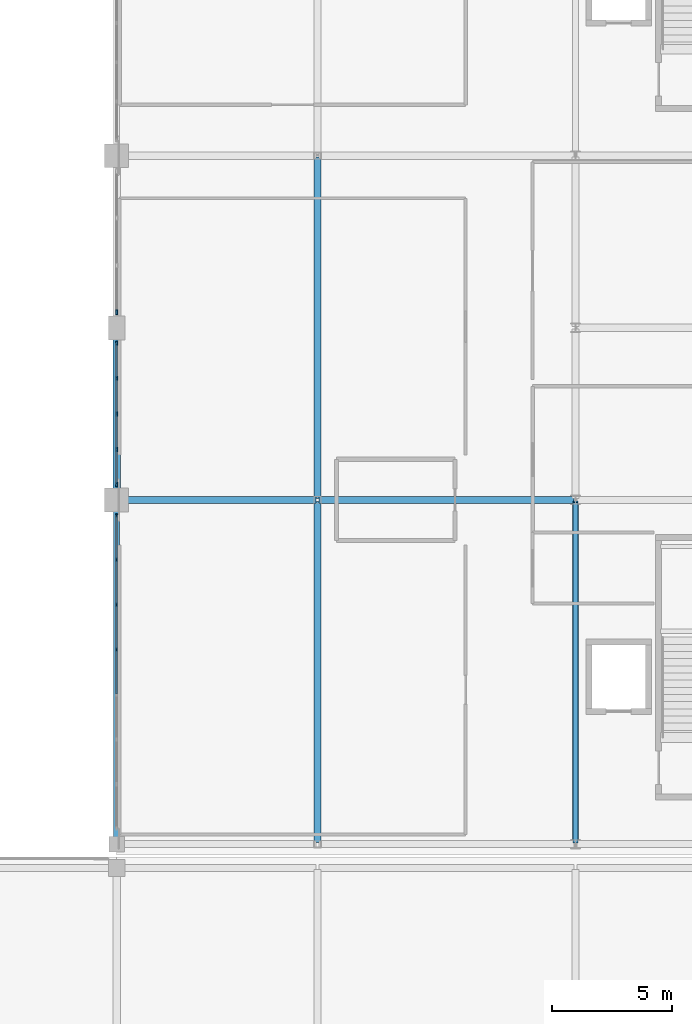
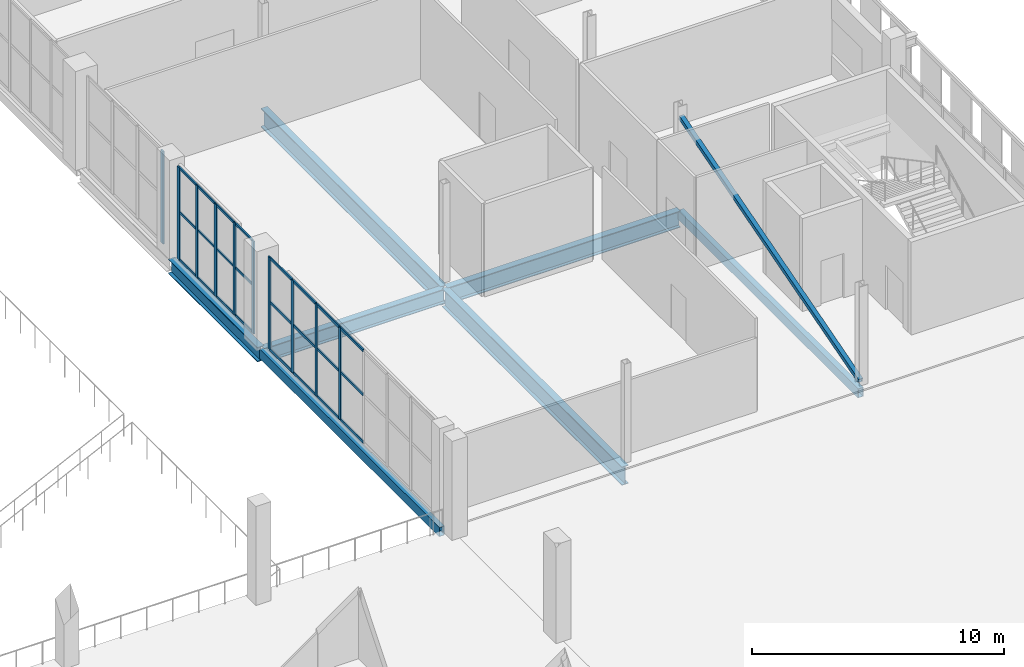
# One storey, part 35 of 104: 35 members, 7 beams, 3 elements without a shape of their own.
"""IFC4 building model written with IfcOpenShell, lengths in metres."""

from ifc_helpers import new_model, si_unit, direction, frame, origin, origin_2d, place, context, subcontext, project, spatial, rectangle, hollow_rectangle, i_section, extrude, material, material_profile, profile_set, type_object, element, aggregate, save


model = new_model("IFC4")

# Units and contexts
model_context = context("Model", 3, precision=1e-05, world=origin(), true_north=direction((0.0, 1.0)))
body_context = subcontext(model_context, "Body", "Model", "MODEL_VIEW")
ifc_project = project(units=[si_unit("LENGTHUNIT", "METRE"), si_unit("AREAUNIT", "SQUARE_METRE"), si_unit("VOLUMEUNIT", "CUBIC_METRE"), si_unit("PLANEANGLEUNIT", "RADIAN"), si_unit("MASSUNIT", "GRAM", prefix="KILO")], contexts=[model_context])

# Site, building, storey
site_placement = place(None, origin())
site = spatial("IfcSite", under=ifc_project, at=site_placement, CompositionType="ELEMENT")
building_placement = place(site_placement, origin())
building = spatial("IfcBuilding", under=site, at=building_placement, Name="Koshinbarg Plaza Stadium", CompositionType="ELEMENT")
storey_placement = place(building_placement, frame((0.0, 0.0, 19.800048828125)))
storey = spatial("IfcBuildingStorey", under=building, at=storey_placement, Name="L04", CompositionType="ELEMENT", Elevation=19.800048828125)

# Beams
ifc_material_1 = material(Name="Steel S355", Category="steel")
ifc_material_profile_1 = material_profile(ifc_material_1, i_section(OverallWidth=0.300048828125, OverallDepth=0.699951171875, WebThickness=0.01708984375, FlangeThickness=0.031982421875, at=origin_2d()), Name="HEB 700")
ifc_profile_set_1 = profile_set([ifc_material_profile_1], Name="Steel S355")
beam_type_1 = type_object("IfcBeamType", Name="BM-SGIR-03", PredefinedType="USERDEFINED", material=ifc_profile_set_1)
beam_1_placement = place(storey_placement, frame((189.4599609375, 39.89990234375, -0.650146484375), z_axis=(1.0, 0.0, 0.0), x_axis=(0.0, 1.0, 0.0)))
element("IfcBeam", 1, at=beam_1_placement, inside=storey, type_object=beam_type_1, Name="L04 X girder F/18-19", ObjectType="GIRDER", PredefinedType="USERDEFINED", context=body_context, shape_type="SweptSolid", body=[
    extrude(i_section(OverallWidth=0.300048828125, OverallDepth=0.699951171875, WebThickness=0.01708984375, FlangeThickness=0.031982421875, at=origin_2d()), origin(), (0.0, 0.0, 1.0), 8.280029296875),
])
beam_2_placement = place(storey_placement, frame((189.39990234375, 39.9599609375, -0.650146484375), z_axis=(0.0, 1.0, 0.0), x_axis=(-1.0, 0.0, 0.0)))
element("IfcBeam", 2, at=beam_2_placement, inside=storey, type_object=beam_type_1, Name="L04 Y girder 18/F-G", ObjectType="GIRDER", PredefinedType="USERDEFINED", context=body_context, shape_type="SweptSolid", body=[
    extrude(i_section(OverallWidth=0.300048828125, OverallDepth=0.699951171875, WebThickness=0.01708984375, FlangeThickness=0.031982421875, at=origin_2d()), origin(), (0.0, 0.0, 1.0), 7.080078125),
])
ifc_material_profile_2 = material_profile(ifc_material_1, i_section(OverallWidth=0.300048828125, OverallDepth=0.800048828125, WebThickness=0.017578125, FlangeThickness=0.032958984375, at=origin_2d()), Name="HEB 800")
ifc_profile_set_2 = profile_set([ifc_material_profile_2], Name="Steel S355")
beam_type_2 = type_object("IfcBeamType", Name="BM-SGIR-04", PredefinedType="USERDEFINED", material=ifc_profile_set_2)
beam_3_placement = place(storey_placement, frame((197.860107421875, 39.89990234375, -0.699951171875), z_axis=(1.0, 0.0, 0.0), x_axis=(0.0, 1.0, 0.0)))
element("IfcBeam", 3, at=beam_3_placement, inside=storey, type_object=beam_type_2, Name="L04 X girder F/19-20", ObjectType="GIRDER", PredefinedType="USERDEFINED", context=body_context, shape_type="SweptSolid", body=[
    extrude(i_section(OverallWidth=0.300048828125, OverallDepth=0.800048828125, WebThickness=0.017578125, FlangeThickness=0.032958984375, at=origin_2d()), origin(), (0.0, 0.0, 1.0), 10.679931640625),
])
ifc_material_profile_3 = material_profile(ifc_material_1, i_section(OverallWidth=0.300048828125, OverallDepth=0.89990234375, WebThickness=0.0185546875, FlangeThickness=0.034912109375, at=origin_2d()), Name="HEB 900")
ifc_profile_set_3 = profile_set([ifc_material_profile_3], Name="Steel S355")
beam_type_3 = type_object("IfcBeamType", Name="BM-SGIR-05", PredefinedType="USERDEFINED", material=ifc_profile_set_3)
for number, where, z_axis, x_axis, name in (
    (4, (197.800048828125, 25.56005859375, -0.75), (0.0, 1.0, 0.0), (-1.0, 0.0, 0.0), "L04 Y girder 19/E-F"),
    (5, (197.800048828125, 39.9599609375, -0.75), (0.0, 1.0, 0.0), (-1.0, 0.0, 0.0), "L04 Y girder 19/F-H"),
):
    element("IfcBeam", number, at=place(storey_placement, frame(where, z_axis=z_axis, x_axis=x_axis)), inside=storey, type_object=beam_type_3, Name=name, ObjectType="GIRDER", PredefinedType="USERDEFINED", context=body_context, shape_type="SweptSolid", body=[
        extrude(i_section(OverallWidth=0.300048828125, OverallDepth=0.89990234375, WebThickness=0.0185546875, FlangeThickness=0.034912109375, at=origin_2d()), origin(), (0.0, 0.0, 1.0), 14.280029296875),
    ])
ifc_material_profile_4 = material_profile(ifc_material_1, hollow_rectangle(XDim=0.25, YDim=0.449951171875, WallThickness=0.01611328125, at=origin_2d()), Name="RHS 450x250x16")
ifc_profile_set_4 = profile_set([ifc_material_profile_4], Name="Steel S355")
beam_type_4 = type_object("IfcBeamType", Name="BM-SGIR-06", PredefinedType="USERDEFINED", material=ifc_profile_set_4)
for number, where, z_axis, x_axis, name in (
    (6, (189.39990234375, 25.56005859375, -0.525146484375), (0.0, 1.0, 0.0), (-1.0, 0.0, 0.0), "L04 Y girder 18/E-F"),
    (7, (208.60009765625, 25.56005859375, -0.525146484375), (0.0, 1.0, 0.0), (-1.0, 0.0, 0.0), "L04 Y girder 20/E-F"),
):
    element("IfcBeam", number, at=place(storey_placement, frame(where, z_axis=z_axis, x_axis=x_axis)), inside=storey, type_object=beam_type_4, Name=name, ObjectType="GIRDER", PredefinedType="USERDEFINED", context=body_context, shape_type="SweptSolid", body=[
        extrude(hollow_rectangle(XDim=0.25, YDim=0.449951171875, WallThickness=0.01611328125, at=origin_2d()), origin(), (0.0, 0.0, 1.0), 14.280029296875),
    ])

# Curtain wall, members
ifc_material_2 = material(Name="Thermally broken anodised aluminium and low-E double glazing", Category="aluminium")
curtain_wall_type_1 = type_object("IfcCurtainWallType", Name="CW-SYS-10", PredefinedType="NOTDEFINED", material=ifc_material_2)
curtain_wall_1_placement = place(storey_placement, origin())
curtain_wall_1 = element("IfcCurtainWall", 8, at=curtain_wall_1_placement, inside=storey, type_object=curtain_wall_type_1, Name="L04 unitised curtain wall CW-L04-121", PredefinedType="NOTDEFINED")
ifc_material_3 = material(Name="Anodised aluminium mullion", Category="aluminium")
ifc_material_profile_5 = material_profile(ifc_material_3, rectangle(XDim=0.06005859375, YDim=0.159912109375, at=origin_2d()), Name="ALU 60x160")
ifc_profile_set_5 = profile_set([ifc_material_profile_5], Name="Anodised aluminium mullion")
member_type_1 = type_object("IfcMemberType", Name="CW-MUL-02", PredefinedType="MULLION", material=ifc_profile_set_5)
member_1_placement = place(storey_placement, frame((189.39990234375, 33.639892578125, 0.0), z_axis=(0.0, 0.0, 1.0), x_axis=(-1.0, 0.0, 0.0)))
member_1 = element("IfcMember", 9, at=member_1_placement, type_object=member_type_1, Name="CW10 mullion 5", PredefinedType="MULLION", context=body_context, shape_type="SweptSolid", body=[
    extrude(rectangle(XDim=0.06005859375, YDim=0.159912109375, at=origin_2d()), origin(), (0.0, 0.0, 1.0), 4.47998046875),
])
member_2_placement = place(storey_placement, frame((189.39990234375, 35.52001953125, 0.0), z_axis=(0.0, 0.0, 1.0), x_axis=(-1.0, 0.0, 0.0)))
member_2 = element("IfcMember", 10, at=member_2_placement, type_object=member_type_1, Name="CW10 mullion 6", PredefinedType="MULLION", context=body_context, shape_type="SweptSolid", body=[
    extrude(rectangle(XDim=0.06005859375, YDim=0.159912109375, at=origin_2d()), origin(), (0.0, 0.0, 1.0), 4.47998046875),
])
member_3_placement = place(storey_placement, frame((189.39990234375, 37.39990234375, 0.0), z_axis=(0.0, 0.0, 1.0), x_axis=(-1.0, 0.0, 0.0)))
member_3 = element("IfcMember", 11, at=member_3_placement, type_object=member_type_1, Name="CW10 mullion 7", PredefinedType="MULLION", context=body_context, shape_type="SweptSolid", body=[
    extrude(rectangle(XDim=0.06005859375, YDim=0.159912109375, at=origin_2d()), origin(), (0.0, 0.0, 1.0), 4.47998046875),
])
member_4_placement = place(storey_placement, frame((189.39990234375, 39.25, 0.0), z_axis=(0.0, 0.0, 1.0), x_axis=(-1.0, 0.0, 0.0)))
member_4 = element("IfcMember", 12, at=member_4_placement, type_object=member_type_1, Name="CW10 mullion 8", PredefinedType="MULLION", context=body_context, shape_type="SweptSolid", body=[
    extrude(rectangle(XDim=0.06005859375, YDim=0.159912109375, at=origin_2d()), origin(), (0.0, 0.0, 1.0), 4.47998046875),
])

curtain_wall_type_2 = type_object("IfcCurtainWallType", Name="CW-SYS-11", PredefinedType="NOTDEFINED", material=ifc_material_2)
curtain_wall_2_placement = place(storey_placement, origin())
curtain_wall_2 = element("IfcCurtainWall", 13, at=curtain_wall_2_placement, inside=storey, type_object=curtain_wall_type_2, Name="L04 unitised curtain wall CW-L04-122", PredefinedType="NOTDEFINED")
ifc_material_profile_6 = material_profile(ifc_material_3, rectangle(XDim=0.070068359375, YDim=0.179931640625, at=origin_2d()), Name="ALU 70x180")
ifc_profile_set_6 = profile_set([ifc_material_profile_6], Name="Anodised aluminium mullion")
member_type_2 = type_object("IfcMemberType", Name="CW-MUL-03", PredefinedType="MULLION", material=ifc_profile_set_6)
member_5_placement = place(storey_placement, frame((189.39990234375, 40.550048828125, 0.0), z_axis=(0.0, 0.0, 1.0), x_axis=(-1.0, 0.0, 0.0)))
member_5 = element("IfcMember", 14, at=member_5_placement, type_object=member_type_2, Name="CW11 mullion 1", PredefinedType="MULLION", context=body_context, shape_type="SweptSolid", body=[
    extrude(rectangle(XDim=0.070068359375, YDim=0.179931640625, at=origin_2d()), origin(), (0.0, 0.0, 1.0), 4.47998046875),
])
member_6_placement = place(storey_placement, frame((189.39990234375, 42.010009765625, 0.0), z_axis=(0.0, 0.0, 1.0), x_axis=(-1.0, 0.0, 0.0)))
member_6 = element("IfcMember", 15, at=member_6_placement, type_object=member_type_2, Name="CW11 mullion 2", PredefinedType="MULLION", context=body_context, shape_type="SweptSolid", body=[
    extrude(rectangle(XDim=0.070068359375, YDim=0.179931640625, at=origin_2d()), origin(), (0.0, 0.0, 1.0), 4.47998046875),
])
member_7_placement = place(storey_placement, frame((189.39990234375, 43.5, 0.0), z_axis=(0.0, 0.0, 1.0), x_axis=(-1.0, 0.0, 0.0)))
member_7 = element("IfcMember", 16, at=member_7_placement, type_object=member_type_2, Name="CW11 mullion 3", PredefinedType="MULLION", context=body_context, shape_type="SweptSolid", body=[
    extrude(rectangle(XDim=0.070068359375, YDim=0.179931640625, at=origin_2d()), origin(), (0.0, 0.0, 1.0), 4.47998046875),
])
member_8_placement = place(storey_placement, frame((189.39990234375, 44.989990234375, 0.0), z_axis=(0.0, 0.0, 1.0), x_axis=(-1.0, 0.0, 0.0)))
member_8 = element("IfcMember", 17, at=member_8_placement, type_object=member_type_2, Name="CW11 mullion 4", PredefinedType="MULLION", context=body_context, shape_type="SweptSolid", body=[
    extrude(rectangle(XDim=0.070068359375, YDim=0.179931640625, at=origin_2d()), origin(), (0.0, 0.0, 1.0), 4.47998046875),
])
member_9_placement = place(storey_placement, frame((189.39990234375, 46.449951171875, 0.0), z_axis=(0.0, 0.0, 1.0), x_axis=(-1.0, 0.0, 0.0)))
member_9 = element("IfcMember", 18, at=member_9_placement, type_object=member_type_2, Name="CW11 mullion 5", PredefinedType="MULLION", context=body_context, shape_type="SweptSolid", body=[
    extrude(rectangle(XDim=0.070068359375, YDim=0.179931640625, at=origin_2d()), origin(), (0.0, 0.0, 1.0), 4.47998046875),
])

# Curtain wall, member
curtain_wall_type_3 = type_object("IfcCurtainWallType", Name="CW-SYS-12", PredefinedType="NOTDEFINED", material=ifc_material_2)
curtain_wall_3_placement = place(storey_placement, origin())
curtain_wall_3 = element("IfcCurtainWall", 19, at=curtain_wall_3_placement, inside=storey, type_object=curtain_wall_type_3, Name="L04 unitised curtain wall CW-L04-123", PredefinedType="NOTDEFINED")
ifc_material_profile_7 = material_profile(ifc_material_3, rectangle(XDim=0.070068359375, YDim=0.199951171875, at=origin_2d()), Name="ALU 70x200")
ifc_profile_set_7 = profile_set([ifc_material_profile_7], Name="Anodised aluminium mullion")
member_type_3 = type_object("IfcMemberType", Name="CW-MUL-04", PredefinedType="MULLION", material=ifc_profile_set_7)
member_10_placement = place(storey_placement, frame((189.39990234375, 47.75, 0.0), z_axis=(0.0, 0.0, 1.0), x_axis=(-1.0, 0.0, 0.0)))
member_10 = element("IfcMember", 20, at=member_10_placement, type_object=member_type_3, Name="CW12 mullion 1", PredefinedType="MULLION", context=body_context, shape_type="SweptSolid", body=[
    extrude(rectangle(XDim=0.070068359375, YDim=0.199951171875, at=origin_2d()), origin(), (0.0, 0.0, 1.0), 4.47998046875),
])
aggregate(curtain_wall_3, [member_10])

# Member
ifc_material_4 = material(Name="Anodised aluminium transom", Category="aluminium")
ifc_material_profile_8 = material_profile(ifc_material_4, rectangle(XDim=0.06005859375, YDim=0.110107421875, at=origin_2d()), Name="ALU 60x110")
ifc_profile_set_8 = profile_set([ifc_material_profile_8], Name="Anodised aluminium transom")
member_type_4 = type_object("IfcMemberType", Name="CW-TRN-01", PredefinedType="USERDEFINED", material=ifc_profile_set_8)
member_11_placement = place(storey_placement, frame((189.39990234375, 40.580078125, 0.030029296875), z_axis=(0.0, 1.0, 0.0), x_axis=(-1.0, 0.0, 0.0)))
member_11 = element("IfcMember", 21, at=member_11_placement, type_object=member_type_4, Name="CW11 transom 1.1", ObjectType="TRANSOM", PredefinedType="USERDEFINED", context=body_context, shape_type="SweptSolid", body=[
    extrude(rectangle(XDim=0.06005859375, YDim=0.110107421875, at=origin_2d()), origin(), (0.0, 0.0, 1.0), 1.39990234375),
])

member_12_placement = place(storey_placement, frame((189.39990234375, 40.580078125, 2.32958984375), z_axis=(0.0, 1.0, 0.0), x_axis=(-1.0, 0.0, 0.0)))
member_12 = element("IfcMember", 22, at=member_12_placement, type_object=member_type_4, Name="CW11 transom 1.2", ObjectType="TRANSOM", PredefinedType="USERDEFINED", context=body_context, shape_type="SweptSolid", body=[
    extrude(rectangle(XDim=0.06005859375, YDim=0.110107421875, at=origin_2d()), origin(), (0.0, 0.0, 1.0), 1.39990234375),
])

member_13_placement = place(storey_placement, frame((189.39990234375, 40.580078125, 4.449951171875), z_axis=(0.0, 1.0, 0.0), x_axis=(-1.0, 0.0, 0.0)))
member_13 = element("IfcMember", 23, at=member_13_placement, type_object=member_type_4, Name="CW11 transom 1.3", ObjectType="TRANSOM", PredefinedType="USERDEFINED", context=body_context, shape_type="SweptSolid", body=[
    extrude(rectangle(XDim=0.06005859375, YDim=0.110107421875, at=origin_2d()), origin(), (0.0, 0.0, 1.0), 1.39990234375),
])

member_14_placement = place(storey_placement, frame((189.39990234375, 42.0400390625, 0.030029296875), z_axis=(0.0, 1.0, 0.0), x_axis=(-1.0, 0.0, 0.0)))
member_14 = element("IfcMember", 24, at=member_14_placement, type_object=member_type_4, Name="CW11 transom 2.1", ObjectType="TRANSOM", PredefinedType="USERDEFINED", context=body_context, shape_type="SweptSolid", body=[
    extrude(rectangle(XDim=0.06005859375, YDim=0.110107421875, at=origin_2d()), origin(), (0.0, 0.0, 1.0), 1.429931640625),
])

member_15_placement = place(storey_placement, frame((189.39990234375, 42.0400390625, 2.32958984375), z_axis=(0.0, 1.0, 0.0), x_axis=(-1.0, 0.0, 0.0)))
member_15 = element("IfcMember", 25, at=member_15_placement, type_object=member_type_4, Name="CW11 transom 2.2", ObjectType="TRANSOM", PredefinedType="USERDEFINED", context=body_context, shape_type="SweptSolid", body=[
    extrude(rectangle(XDim=0.06005859375, YDim=0.110107421875, at=origin_2d()), origin(), (0.0, 0.0, 1.0), 1.429931640625),
])

member_16_placement = place(storey_placement, frame((189.39990234375, 42.0400390625, 4.449951171875), z_axis=(0.0, 1.0, 0.0), x_axis=(-1.0, 0.0, 0.0)))
member_16 = element("IfcMember", 26, at=member_16_placement, type_object=member_type_4, Name="CW11 transom 2.3", ObjectType="TRANSOM", PredefinedType="USERDEFINED", context=body_context, shape_type="SweptSolid", body=[
    extrude(rectangle(XDim=0.06005859375, YDim=0.110107421875, at=origin_2d()), origin(), (0.0, 0.0, 1.0), 1.429931640625),
])

member_17_placement = place(storey_placement, frame((189.39990234375, 43.530029296875, 0.030029296875), z_axis=(0.0, 1.0, 0.0), x_axis=(-1.0, 0.0, 0.0)))
member_17 = element("IfcMember", 27, at=member_17_placement, type_object=member_type_4, Name="CW11 transom 3.1", ObjectType="TRANSOM", PredefinedType="USERDEFINED", context=body_context, shape_type="SweptSolid", body=[
    extrude(rectangle(XDim=0.06005859375, YDim=0.110107421875, at=origin_2d()), origin(), (0.0, 0.0, 1.0), 1.429931640625),
])

member_18_placement = place(storey_placement, frame((189.39990234375, 43.530029296875, 2.32958984375), z_axis=(0.0, 1.0, 0.0), x_axis=(-1.0, 0.0, 0.0)))
member_18 = element("IfcMember", 28, at=member_18_placement, type_object=member_type_4, Name="CW11 transom 3.2", ObjectType="TRANSOM", PredefinedType="USERDEFINED", context=body_context, shape_type="SweptSolid", body=[
    extrude(rectangle(XDim=0.06005859375, YDim=0.110107421875, at=origin_2d()), origin(), (0.0, 0.0, 1.0), 1.429931640625),
])

member_19_placement = place(storey_placement, frame((189.39990234375, 43.530029296875, 4.449951171875), z_axis=(0.0, 1.0, 0.0), x_axis=(-1.0, 0.0, 0.0)))
member_19 = element("IfcMember", 29, at=member_19_placement, type_object=member_type_4, Name="CW11 transom 3.3", ObjectType="TRANSOM", PredefinedType="USERDEFINED", context=body_context, shape_type="SweptSolid", body=[
    extrude(rectangle(XDim=0.06005859375, YDim=0.110107421875, at=origin_2d()), origin(), (0.0, 0.0, 1.0), 1.429931640625),
])

member_20_placement = place(storey_placement, frame((189.39990234375, 45.02001953125, 0.030029296875), z_axis=(0.0, 1.0, 0.0), x_axis=(-1.0, 0.0, 0.0)))
member_20 = element("IfcMember", 30, at=member_20_placement, type_object=member_type_4, Name="CW11 transom 4.1", ObjectType="TRANSOM", PredefinedType="USERDEFINED", context=body_context, shape_type="SweptSolid", body=[
    extrude(rectangle(XDim=0.06005859375, YDim=0.110107421875, at=origin_2d()), origin(), (0.0, 0.0, 1.0), 1.39990234375),
])

member_21_placement = place(storey_placement, frame((189.39990234375, 45.02001953125, 2.32958984375), z_axis=(0.0, 1.0, 0.0), x_axis=(-1.0, 0.0, 0.0)))
member_21 = element("IfcMember", 31, at=member_21_placement, type_object=member_type_4, Name="CW11 transom 4.2", ObjectType="TRANSOM", PredefinedType="USERDEFINED", context=body_context, shape_type="SweptSolid", body=[
    extrude(rectangle(XDim=0.06005859375, YDim=0.110107421875, at=origin_2d()), origin(), (0.0, 0.0, 1.0), 1.39990234375),
])

member_22_placement = place(storey_placement, frame((189.39990234375, 45.02001953125, 4.449951171875), z_axis=(0.0, 1.0, 0.0), x_axis=(-1.0, 0.0, 0.0)))
member_22 = element("IfcMember", 32, at=member_22_placement, type_object=member_type_4, Name="CW11 transom 4.3", ObjectType="TRANSOM", PredefinedType="USERDEFINED", context=body_context, shape_type="SweptSolid", body=[
    extrude(rectangle(XDim=0.06005859375, YDim=0.110107421875, at=origin_2d()), origin(), (0.0, 0.0, 1.0), 1.39990234375),
])

aggregate(curtain_wall_2, [member_5, member_6, member_7, member_8, member_9, member_11, member_12, member_13, member_14, member_15, member_16, member_17, member_18, member_19, member_20, member_21, member_22])

ifc_material_profile_9 = material_profile(ifc_material_4, rectangle(XDim=0.06005859375, YDim=0.1298828125, at=origin_2d()), Name="ALU 60x130")
ifc_profile_set_9 = profile_set([ifc_material_profile_9], Name="Anodised aluminium transom")
member_type_5 = type_object("IfcMemberType", Name="CW-TRN-02", PredefinedType="USERDEFINED", material=ifc_profile_set_9)
member_23_placement = place(storey_placement, frame((189.39990234375, 31.7900390625, 0.030029296875), z_axis=(0.0, 1.0, 0.0), x_axis=(-1.0, 0.0, 0.0)))
member_23 = element("IfcMember", 33, at=member_23_placement, type_object=member_type_5, Name="CW10 transom 4.1", ObjectType="TRANSOM", PredefinedType="USERDEFINED", context=body_context, shape_type="SweptSolid", body=[
    extrude(rectangle(XDim=0.06005859375, YDim=0.1298828125, at=origin_2d()), origin(), (0.0, 0.0, 1.0), 1.820068359375),
])

member_24_placement = place(storey_placement, frame((189.39990234375, 31.7900390625, 2.32958984375), z_axis=(0.0, 1.0, 0.0), x_axis=(-1.0, 0.0, 0.0)))
member_24 = element("IfcMember", 34, at=member_24_placement, type_object=member_type_5, Name="CW10 transom 4.2", ObjectType="TRANSOM", PredefinedType="USERDEFINED", context=body_context, shape_type="SweptSolid", body=[
    extrude(rectangle(XDim=0.06005859375, YDim=0.1298828125, at=origin_2d()), origin(), (0.0, 0.0, 1.0), 1.820068359375),
])

member_25_placement = place(storey_placement, frame((189.39990234375, 31.7900390625, 4.449951171875), z_axis=(0.0, 1.0, 0.0), x_axis=(-1.0, 0.0, 0.0)))
member_25 = element("IfcMember", 35, at=member_25_placement, type_object=member_type_5, Name="CW10 transom 4.3", ObjectType="TRANSOM", PredefinedType="USERDEFINED", context=body_context, shape_type="SweptSolid", body=[
    extrude(rectangle(XDim=0.06005859375, YDim=0.1298828125, at=origin_2d()), origin(), (0.0, 0.0, 1.0), 1.820068359375),
])

member_26_placement = place(storey_placement, frame((189.39990234375, 33.669921875, 0.030029296875), z_axis=(0.0, 1.0, 0.0), x_axis=(-1.0, 0.0, 0.0)))
member_26 = element("IfcMember", 36, at=member_26_placement, type_object=member_type_5, Name="CW10 transom 5.1", ObjectType="TRANSOM", PredefinedType="USERDEFINED", context=body_context, shape_type="SweptSolid", body=[
    extrude(rectangle(XDim=0.06005859375, YDim=0.1298828125, at=origin_2d()), origin(), (0.0, 0.0, 1.0), 1.820068359375),
])

member_27_placement = place(storey_placement, frame((189.39990234375, 33.669921875, 2.32958984375), z_axis=(0.0, 1.0, 0.0), x_axis=(-1.0, 0.0, 0.0)))
member_27 = element("IfcMember", 37, at=member_27_placement, type_object=member_type_5, Name="CW10 transom 5.2", ObjectType="TRANSOM", PredefinedType="USERDEFINED", context=body_context, shape_type="SweptSolid", body=[
    extrude(rectangle(XDim=0.06005859375, YDim=0.1298828125, at=origin_2d()), origin(), (0.0, 0.0, 1.0), 1.820068359375),
])

member_28_placement = place(storey_placement, frame((189.39990234375, 33.669921875, 4.449951171875), z_axis=(0.0, 1.0, 0.0), x_axis=(-1.0, 0.0, 0.0)))
member_28 = element("IfcMember", 38, at=member_28_placement, type_object=member_type_5, Name="CW10 transom 5.3", ObjectType="TRANSOM", PredefinedType="USERDEFINED", context=body_context, shape_type="SweptSolid", body=[
    extrude(rectangle(XDim=0.06005859375, YDim=0.1298828125, at=origin_2d()), origin(), (0.0, 0.0, 1.0), 1.820068359375),
])

member_29_placement = place(storey_placement, frame((189.39990234375, 35.550048828125, 0.030029296875), z_axis=(0.0, 1.0, 0.0), x_axis=(-1.0, 0.0, 0.0)))
member_29 = element("IfcMember", 39, at=member_29_placement, type_object=member_type_5, Name="CW10 transom 6.1", ObjectType="TRANSOM", PredefinedType="USERDEFINED", context=body_context, shape_type="SweptSolid", body=[
    extrude(rectangle(XDim=0.06005859375, YDim=0.1298828125, at=origin_2d()), origin(), (0.0, 0.0, 1.0), 1.820068359375),
])

member_30_placement = place(storey_placement, frame((189.39990234375, 35.550048828125, 2.32958984375), z_axis=(0.0, 1.0, 0.0), x_axis=(-1.0, 0.0, 0.0)))
member_30 = element("IfcMember", 40, at=member_30_placement, type_object=member_type_5, Name="CW10 transom 6.2", ObjectType="TRANSOM", PredefinedType="USERDEFINED", context=body_context, shape_type="SweptSolid", body=[
    extrude(rectangle(XDim=0.06005859375, YDim=0.1298828125, at=origin_2d()), origin(), (0.0, 0.0, 1.0), 1.820068359375),
])

member_31_placement = place(storey_placement, frame((189.39990234375, 35.550048828125, 4.449951171875), z_axis=(0.0, 1.0, 0.0), x_axis=(-1.0, 0.0, 0.0)))
member_31 = element("IfcMember", 41, at=member_31_placement, type_object=member_type_5, Name="CW10 transom 6.3", ObjectType="TRANSOM", PredefinedType="USERDEFINED", context=body_context, shape_type="SweptSolid", body=[
    extrude(rectangle(XDim=0.06005859375, YDim=0.1298828125, at=origin_2d()), origin(), (0.0, 0.0, 1.0), 1.820068359375),
])

member_32_placement = place(storey_placement, frame((189.39990234375, 37.429931640625, 0.030029296875), z_axis=(0.0, 1.0, 0.0), x_axis=(-1.0, 0.0, 0.0)))
member_32 = element("IfcMember", 42, at=member_32_placement, type_object=member_type_5, Name="CW10 transom 7.1", ObjectType="TRANSOM", PredefinedType="USERDEFINED", context=body_context, shape_type="SweptSolid", body=[
    extrude(rectangle(XDim=0.06005859375, YDim=0.1298828125, at=origin_2d()), origin(), (0.0, 0.0, 1.0), 1.7900390625),
])

member_33_placement = place(storey_placement, frame((189.39990234375, 37.429931640625, 2.32958984375), z_axis=(0.0, 1.0, 0.0), x_axis=(-1.0, 0.0, 0.0)))
member_33 = element("IfcMember", 43, at=member_33_placement, type_object=member_type_5, Name="CW10 transom 7.2", ObjectType="TRANSOM", PredefinedType="USERDEFINED", context=body_context, shape_type="SweptSolid", body=[
    extrude(rectangle(XDim=0.06005859375, YDim=0.1298828125, at=origin_2d()), origin(), (0.0, 0.0, 1.0), 1.7900390625),
])

member_34_placement = place(storey_placement, frame((189.39990234375, 37.429931640625, 4.449951171875), z_axis=(0.0, 1.0, 0.0), x_axis=(-1.0, 0.0, 0.0)))
member_34 = element("IfcMember", 44, at=member_34_placement, type_object=member_type_5, Name="CW10 transom 7.3", ObjectType="TRANSOM", PredefinedType="USERDEFINED", context=body_context, shape_type="SweptSolid", body=[
    extrude(rectangle(XDim=0.06005859375, YDim=0.1298828125, at=origin_2d()), origin(), (0.0, 0.0, 1.0), 1.7900390625),
])

aggregate(curtain_wall_1, [member_1, member_2, member_3, member_4, member_23, member_24, member_25, member_26, member_27, member_28, member_29, member_30, member_31, member_32, member_33, member_34])

ifc_material_profile_10 = material_profile(ifc_material_1, hollow_rectangle(XDim=0.199951171875, YDim=0.199951171875, WallThickness=0.010009765625, at=origin_2d()), Name="SHS 200x200x10")
ifc_profile_set_10 = profile_set([ifc_material_profile_10], Name="Steel S355")
member_type_6 = type_object("IfcMemberType", Name="MB-BRACE-06", PredefinedType="BRACE", material=ifc_profile_set_10)
member_35_placement = place(storey_placement, frame((208.60009765625, 25.580078125, 0.050048828125), z_axis=(0.0, 0.960062102973, 0.27978698761), x_axis=(-1.0, 0.0, 0.0)))
element("IfcMember", 45, at=member_35_placement, inside=storey, type_object=member_type_6, Name="L04 lateral frame brace 19", PredefinedType="BRACE", context=body_context, shape_type="SweptSolid", body=[
    extrude(hollow_rectangle(XDim=0.199951171875, YDim=0.199951171875, WallThickness=0.010009765625, at=origin_2d()), origin(), (0.0, 0.0, 1.0), 14.832275390625),
])

save(model, "model.ifc")
